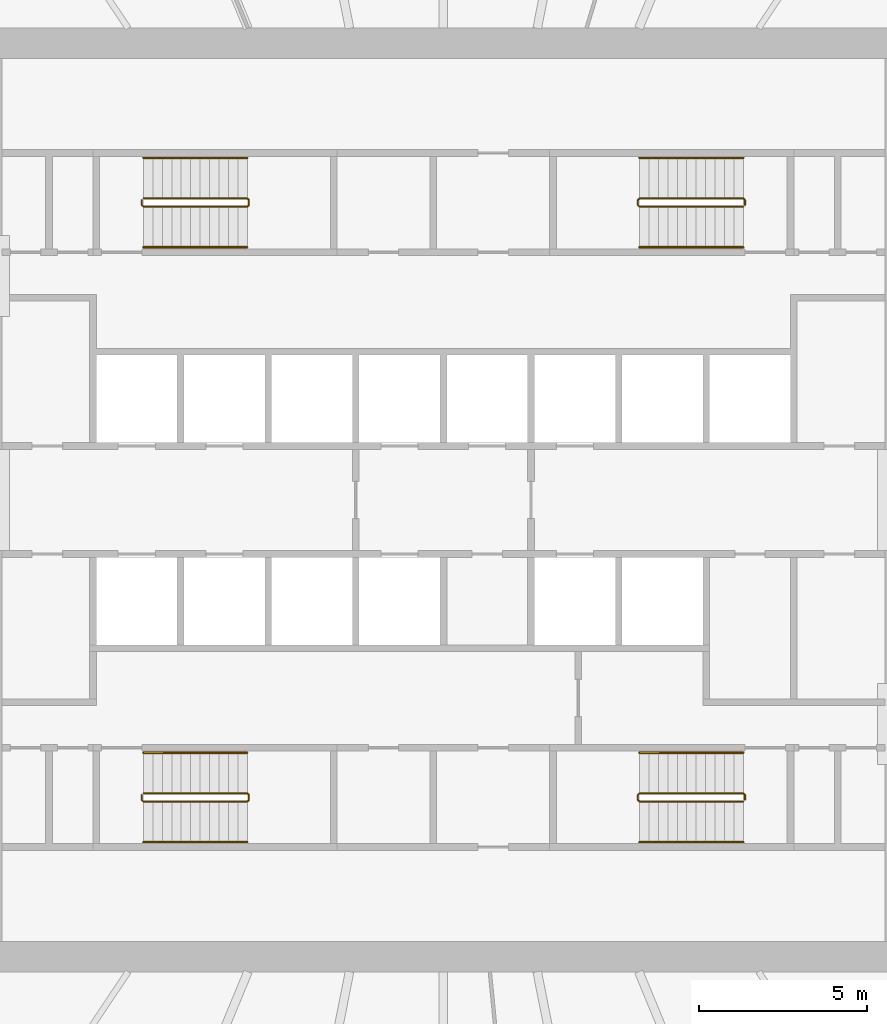
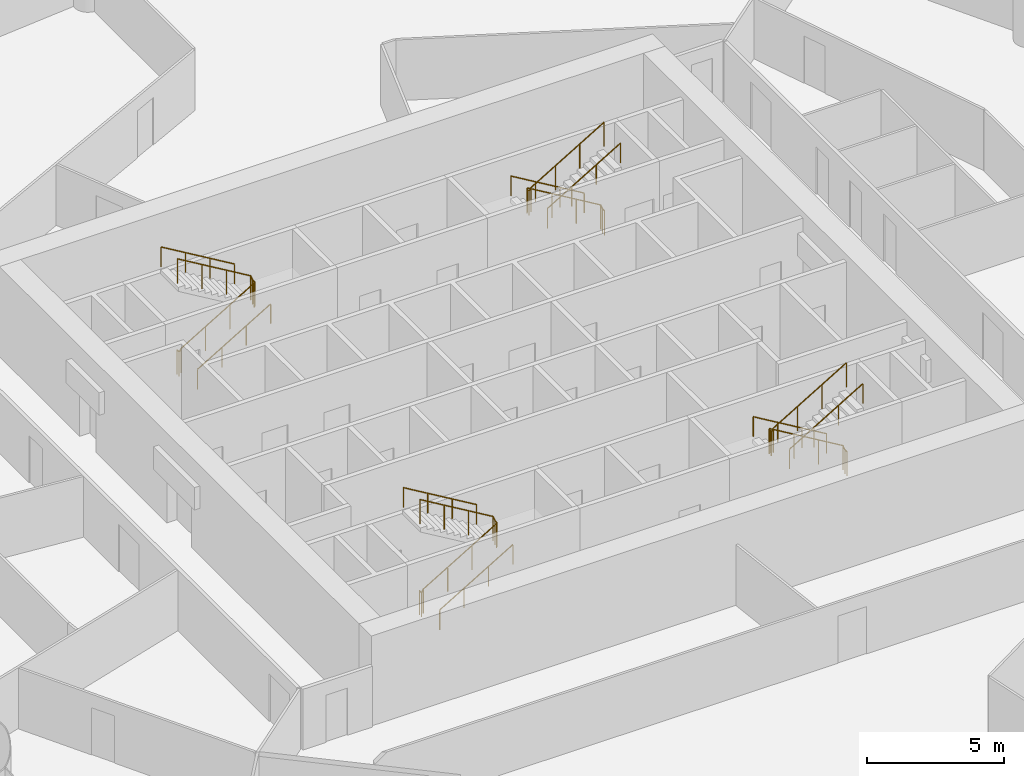
# One storey, part 8 of 8: 12 railings.
"""IFC4 building model written with IfcOpenShell, lengths in metres."""

from ifc_helpers import new_model, si_unit, direction, frame, origin, origin_2d, place, context, subcontext, project, spatial, circle, extrude, material, type_object, element, save


model = new_model("IFC4")

# Units and contexts
model_context = context("Model", 3, precision=1e-05, world=origin(), true_north=direction((0.0, 1.0)))
body_context = subcontext(model_context, "Body", "Model", "MODEL_VIEW")
ifc_project = project(units=[si_unit("LENGTHUNIT", "METRE"), si_unit("AREAUNIT", "SQUARE_METRE"), si_unit("VOLUMEUNIT", "CUBIC_METRE"), si_unit("PLANEANGLEUNIT", "RADIAN"), si_unit("MASSUNIT", "GRAM", prefix="KILO")], contexts=[model_context])

# Site, building, storey
site_placement = place(None, origin())
site = spatial("IfcSite", under=ifc_project, at=site_placement, CompositionType="ELEMENT")
building_placement = place(site_placement, origin())
building = spatial("IfcBuilding", under=site, at=building_placement, Name="Corvane Civic Tower", CompositionType="ELEMENT")
storey_placement = place(building_placement, frame((0.0, 0.0, 156.0)))
storey = spatial("IfcBuildingStorey", under=building, at=storey_placement, Name="L36", CompositionType="ELEMENT", Elevation=156.0)

# Railings
ifc_material_1 = material(Name="Steel ASTM A572 Gr 50", Category="steel")
railing_type_1 = type_object("IfcRailingType", Name="ST-GUARD-1100", PredefinedType="GUARDRAIL", material=ifc_material_1)
railing_1_placement = place(storey_placement, frame((8.949951171875, 8.75, 0.0)))
element("IfcRailing", 1, at=railing_1_placement, inside=storey, type_object=railing_type_1, Name="L36 ST1 stair guard 1", PredefinedType="GUARDRAIL", context=body_context, shape_type="SweptSolid", body=[
    extrude(circle(Radius=0.02392578125, at=origin_2d()), frame((0.0, 0.0, 1.076171875), z_axis=(0.0, 1.0, 0.0), x_axis=(-1.0, 0.0, 0.0)), (0.0, 0.0, 1.0), 0.14990234375),
    extrude(circle(Radius=0.02392578125, at=origin_2d()), frame((0.0, 0.14990234375, 1.076171875), z_axis=(-0.27628659633, 0.27628659633, 0.920506074601), x_axis=(-0.707106781187, -0.707106781187, 0.0)), (0.0, 0.0, 1.0), 0.18115234375),
    extrude(circle(Radius=0.02392578125, at=origin_2d()), frame((-0.050048828125, 0.199951171875, 1.24267578125), z_axis=(-0.859290745958, 0.0, 0.51148745235), x_axis=(0.0, -1.0, 0.0)), (0.0, 0.0, 1.0), 3.584228515625),
    extrude(circle(Radius=0.02392578125, at=origin_2d()), frame((-3.1298828125, 0.199951171875, 3.076171875), z_axis=(-0.707106781187, -0.707106781187, 0.0), x_axis=(0.707106781187, -0.707106781187, 0.0)), (0.0, 0.0, 1.0), 0.07080078125),
    extrude(circle(Radius=0.02392578125, at=origin_2d()), frame((-3.179931640625, 0.14990234375, 3.076171875), z_axis=(0.0, -1.0, 0.0), x_axis=(1.0, 0.0, 0.0)), (0.0, 0.0, 1.0), 0.14990234375),
    extrude(circle(Radius=0.02392578125, at=origin_2d()), frame((-3.179931640625, 0.0, 3.076171875), z_axis=(0.27628659633, -0.27628659633, 0.920506074601), x_axis=(0.707106781187, 0.707106781187, 0.0)), (0.0, 0.0, 1.0), 0.18115234375),
    extrude(circle(Radius=0.02392578125, at=origin_2d()), frame((-3.1298828125, -0.050048828125, 3.24267578125), z_axis=(0.859290745958, 0.0, 0.51148745235), x_axis=(0.0, 1.0, 0.0)), (0.0, 0.0, 1.0), 3.584228515625),
    extrude(circle(Radius=0.02099609375, at=origin_2d()), origin(), (0.0, 0.0, 1.0), 1.052001953125),
    extrude(circle(Radius=0.02099609375, at=origin_2d()), frame((0.0, 0.14990234375, 0.0)), (0.0, 0.0, 1.0), 1.052001953125),
    extrude(circle(Radius=0.02099609375, at=origin_2d()), frame((-0.050048828125, 0.199951171875, 0.166748046875)), (0.0, 0.0, 1.0), 1.052001953125),
    extrude(circle(Radius=0.02099609375, at=origin_2d()), frame((-1.07666015625, 0.199951171875, 0.77783203125)), (0.0, 0.0, 1.0), 1.052001953125),
    extrude(circle(Radius=0.02099609375, at=origin_2d()), frame((-2.103271484375, 0.199951171875, 1.388916015625)), (0.0, 0.0, 1.0), 1.052001953125),
    extrude(circle(Radius=0.02099609375, at=origin_2d()), frame((-3.1298828125, 0.199951171875, 2.0)), (0.0, 0.0, 1.0), 1.052001953125),
    extrude(circle(Radius=0.02099609375, at=origin_2d()), frame((-3.179931640625, 0.14990234375, 2.0)), (0.0, 0.0, 1.0), 1.052001953125),
    extrude(circle(Radius=0.02099609375, at=origin_2d()), frame((-3.179931640625, 0.0, 2.0)), (0.0, 0.0, 1.0), 1.052001953125),
    extrude(circle(Radius=0.02099609375, at=origin_2d()), frame((-3.1298828125, -0.050048828125, 2.166748046875)), (0.0, 0.0, 1.0), 1.052001953125),
    extrude(circle(Radius=0.02099609375, at=origin_2d()), frame((-2.103271484375, -0.050048828125, 2.77783203125)), (0.0, 0.0, 1.0), 1.052001953125),
    extrude(circle(Radius=0.02099609375, at=origin_2d()), frame((-1.07666015625, -0.050048828125, 3.388916015625)), (0.0, 0.0, 1.0), 1.052001953125),
    extrude(circle(Radius=0.02099609375, at=origin_2d()), frame((-0.050048828125, -0.050048828125, 4.0)), (0.0, 0.0, 1.0), 1.052001953125),
])
railing_2_placement = place(storey_placement, frame((8.949951171875, -8.89990234375, 0.0)))
element("IfcRailing", 2, at=railing_2_placement, inside=storey, type_object=railing_type_1, Name="L36 ST2 stair guard 1", PredefinedType="GUARDRAIL", context=body_context, shape_type="SweptSolid", body=[
    extrude(circle(Radius=0.02392578125, at=origin_2d()), frame((0.0, 0.0, 1.076171875), z_axis=(0.0, 1.0, 0.0), x_axis=(-1.0, 0.0, 0.0)), (0.0, 0.0, 1.0), 0.14990234375),
    extrude(circle(Radius=0.02392578125, at=origin_2d()), frame((0.0, 0.14990234375, 1.076171875), z_axis=(-0.27628659633, 0.27628659633, 0.920506074601), x_axis=(-0.707106781187, -0.707106781187, 0.0)), (0.0, 0.0, 1.0), 0.18115234375),
    extrude(circle(Radius=0.02392578125, at=origin_2d()), frame((-0.050048828125, 0.199951171875, 1.24267578125), z_axis=(-0.859290745958, 0.0, 0.51148745235), x_axis=(0.0, -1.0, 0.0)), (0.0, 0.0, 1.0), 3.584228515625),
    extrude(circle(Radius=0.02392578125, at=origin_2d()), frame((-3.1298828125, 0.199951171875, 3.076171875), z_axis=(-0.707106781187, -0.707106781187, 0.0), x_axis=(0.707106781187, -0.707106781187, 0.0)), (0.0, 0.0, 1.0), 0.07080078125),
    extrude(circle(Radius=0.02392578125, at=origin_2d()), frame((-3.179931640625, 0.14990234375, 3.076171875), z_axis=(0.0, -1.0, 0.0), x_axis=(1.0, 0.0, 0.0)), (0.0, 0.0, 1.0), 0.14990234375),
    extrude(circle(Radius=0.02392578125, at=origin_2d()), frame((-3.179931640625, 0.0, 3.076171875), z_axis=(0.27628659633, -0.27628659633, 0.920506074601), x_axis=(0.707106781187, 0.707106781187, 0.0)), (0.0, 0.0, 1.0), 0.18115234375),
    extrude(circle(Radius=0.02392578125, at=origin_2d()), frame((-3.1298828125, -0.050048828125, 3.24267578125), z_axis=(0.859290745958, 0.0, 0.51148745235), x_axis=(0.0, 1.0, 0.0)), (0.0, 0.0, 1.0), 3.584228515625),
    extrude(circle(Radius=0.02099609375, at=origin_2d()), origin(), (0.0, 0.0, 1.0), 1.052001953125),
    extrude(circle(Radius=0.02099609375, at=origin_2d()), frame((0.0, 0.14990234375, 0.0)), (0.0, 0.0, 1.0), 1.052001953125),
    extrude(circle(Radius=0.02099609375, at=origin_2d()), frame((-0.050048828125, 0.199951171875, 0.166748046875)), (0.0, 0.0, 1.0), 1.052001953125),
    extrude(circle(Radius=0.02099609375, at=origin_2d()), frame((-1.07666015625, 0.199951171875, 0.77783203125)), (0.0, 0.0, 1.0), 1.052001953125),
    extrude(circle(Radius=0.02099609375, at=origin_2d()), frame((-2.103271484375, 0.199951171875, 1.388916015625)), (0.0, 0.0, 1.0), 1.052001953125),
    extrude(circle(Radius=0.02099609375, at=origin_2d()), frame((-3.1298828125, 0.199951171875, 2.0)), (0.0, 0.0, 1.0), 1.052001953125),
    extrude(circle(Radius=0.02099609375, at=origin_2d()), frame((-3.179931640625, 0.14990234375, 2.0)), (0.0, 0.0, 1.0), 1.052001953125),
    extrude(circle(Radius=0.02099609375, at=origin_2d()), frame((-3.179931640625, 0.0, 2.0)), (0.0, 0.0, 1.0), 1.052001953125),
    extrude(circle(Radius=0.02099609375, at=origin_2d()), frame((-3.1298828125, -0.050048828125, 2.166748046875)), (0.0, 0.0, 1.0), 1.052001953125),
    extrude(circle(Radius=0.02099609375, at=origin_2d()), frame((-2.103271484375, -0.050048828125, 2.77783203125)), (0.0, 0.0, 1.0), 1.052001953125),
    extrude(circle(Radius=0.02099609375, at=origin_2d()), frame((-1.07666015625, -0.050048828125, 3.388916015625)), (0.0, 0.0, 1.0), 1.052001953125),
    extrude(circle(Radius=0.02099609375, at=origin_2d()), frame((-0.050048828125, -0.050048828125, 4.0)), (0.0, 0.0, 1.0), 1.052001953125),
])
railing_3_placement = place(storey_placement, frame((-8.949951171875, -8.75, 0.0)))
element("IfcRailing", 3, at=railing_3_placement, inside=storey, type_object=railing_type_1, Name="L36 ST3 stair guard 1", PredefinedType="GUARDRAIL", context=body_context, shape_type="SweptSolid", body=[
    extrude(circle(Radius=0.02392578125, at=origin_2d()), frame((0.0, 0.0, 1.076171875), z_axis=(0.0, -1.0, 0.0), x_axis=(1.0, 0.0, 0.0)), (0.0, 0.0, 1.0), 0.14990234375),
    extrude(circle(Radius=0.02392578125, at=origin_2d()), frame((0.0, -0.14990234375, 1.076171875), z_axis=(0.27628659633, -0.27628659633, 0.920506074601), x_axis=(0.707106781187, 0.707106781187, 0.0)), (0.0, 0.0, 1.0), 0.18115234375),
    extrude(circle(Radius=0.02392578125, at=origin_2d()), frame((0.050048828125, -0.199951171875, 1.24267578125), z_axis=(0.859290745958, 0.0, 0.51148745235), x_axis=(0.0, 1.0, 0.0)), (0.0, 0.0, 1.0), 3.584228515625),
    extrude(circle(Radius=0.02392578125, at=origin_2d()), frame((3.1298828125, -0.199951171875, 3.076171875), z_axis=(0.707106781187, 0.707106781187, 0.0), x_axis=(-0.707106781187, 0.707106781187, 0.0)), (0.0, 0.0, 1.0), 0.07080078125),
    extrude(circle(Radius=0.02392578125, at=origin_2d()), frame((3.179931640625, -0.14990234375, 3.076171875), z_axis=(0.0, 1.0, 0.0), x_axis=(-1.0, 0.0, 0.0)), (0.0, 0.0, 1.0), 0.14990234375),
    extrude(circle(Radius=0.02392578125, at=origin_2d()), frame((3.179931640625, 0.0, 3.076171875), z_axis=(-0.27628659633, 0.27628659633, 0.920506074601), x_axis=(-0.707106781187, -0.707106781187, 0.0)), (0.0, 0.0, 1.0), 0.18115234375),
    extrude(circle(Radius=0.02392578125, at=origin_2d()), frame((3.1298828125, 0.050048828125, 3.24267578125), z_axis=(-0.859290745958, 0.0, 0.51148745235), x_axis=(0.0, -1.0, 0.0)), (0.0, 0.0, 1.0), 3.584228515625),
    extrude(circle(Radius=0.02099609375, at=origin_2d()), origin(), (0.0, 0.0, 1.0), 1.052001953125),
    extrude(circle(Radius=0.02099609375, at=origin_2d()), frame((0.0, -0.14990234375, 0.0)), (0.0, 0.0, 1.0), 1.052001953125),
    extrude(circle(Radius=0.02099609375, at=origin_2d()), frame((0.050048828125, -0.199951171875, 0.166748046875)), (0.0, 0.0, 1.0), 1.052001953125),
    extrude(circle(Radius=0.02099609375, at=origin_2d()), frame((1.07666015625, -0.199951171875, 0.77783203125)), (0.0, 0.0, 1.0), 1.052001953125),
    extrude(circle(Radius=0.02099609375, at=origin_2d()), frame((2.103271484375, -0.199951171875, 1.388916015625)), (0.0, 0.0, 1.0), 1.052001953125),
    extrude(circle(Radius=0.02099609375, at=origin_2d()), frame((3.1298828125, -0.199951171875, 2.0)), (0.0, 0.0, 1.0), 1.052001953125),
    extrude(circle(Radius=0.02099609375, at=origin_2d()), frame((3.179931640625, -0.14990234375, 2.0)), (0.0, 0.0, 1.0), 1.052001953125),
    extrude(circle(Radius=0.02099609375, at=origin_2d()), frame((3.179931640625, 0.0, 2.0)), (0.0, 0.0, 1.0), 1.052001953125),
    extrude(circle(Radius=0.02099609375, at=origin_2d()), frame((3.1298828125, 0.050048828125, 2.166748046875)), (0.0, 0.0, 1.0), 1.052001953125),
    extrude(circle(Radius=0.02099609375, at=origin_2d()), frame((2.103271484375, 0.050048828125, 2.77783203125)), (0.0, 0.0, 1.0), 1.052001953125),
    extrude(circle(Radius=0.02099609375, at=origin_2d()), frame((1.07666015625, 0.050048828125, 3.388916015625)), (0.0, 0.0, 1.0), 1.052001953125),
    extrude(circle(Radius=0.02099609375, at=origin_2d()), frame((0.050048828125, 0.050048828125, 4.0)), (0.0, 0.0, 1.0), 1.052001953125),
])
railing_4_placement = place(storey_placement, frame((-8.949951171875, 8.89990234375, 0.0)))
element("IfcRailing", 4, at=railing_4_placement, inside=storey, type_object=railing_type_1, Name="L36 ST4 stair guard 1", PredefinedType="GUARDRAIL", context=body_context, shape_type="SweptSolid", body=[
    extrude(circle(Radius=0.02392578125, at=origin_2d()), frame((0.0, 0.0, 1.076171875), z_axis=(0.0, -1.0, 0.0), x_axis=(1.0, 0.0, 0.0)), (0.0, 0.0, 1.0), 0.14990234375),
    extrude(circle(Radius=0.02392578125, at=origin_2d()), frame((0.0, -0.14990234375, 1.076171875), z_axis=(0.27628659633, -0.27628659633, 0.920506074601), x_axis=(0.707106781187, 0.707106781187, 0.0)), (0.0, 0.0, 1.0), 0.18115234375),
    extrude(circle(Radius=0.02392578125, at=origin_2d()), frame((0.050048828125, -0.199951171875, 1.24267578125), z_axis=(0.859290745958, 0.0, 0.51148745235), x_axis=(0.0, 1.0, 0.0)), (0.0, 0.0, 1.0), 3.584228515625),
    extrude(circle(Radius=0.02392578125, at=origin_2d()), frame((3.1298828125, -0.199951171875, 3.076171875), z_axis=(0.707106781187, 0.707106781187, 0.0), x_axis=(-0.707106781187, 0.707106781187, 0.0)), (0.0, 0.0, 1.0), 0.07080078125),
    extrude(circle(Radius=0.02392578125, at=origin_2d()), frame((3.179931640625, -0.14990234375, 3.076171875), z_axis=(0.0, 1.0, 0.0), x_axis=(-1.0, 0.0, 0.0)), (0.0, 0.0, 1.0), 0.14990234375),
    extrude(circle(Radius=0.02392578125, at=origin_2d()), frame((3.179931640625, 0.0, 3.076171875), z_axis=(-0.27628659633, 0.27628659633, 0.920506074601), x_axis=(-0.707106781187, -0.707106781187, 0.0)), (0.0, 0.0, 1.0), 0.18115234375),
    extrude(circle(Radius=0.02392578125, at=origin_2d()), frame((3.1298828125, 0.050048828125, 3.24267578125), z_axis=(-0.859290745958, 0.0, 0.51148745235), x_axis=(0.0, -1.0, 0.0)), (0.0, 0.0, 1.0), 3.584228515625),
    extrude(circle(Radius=0.02099609375, at=origin_2d()), origin(), (0.0, 0.0, 1.0), 1.052001953125),
    extrude(circle(Radius=0.02099609375, at=origin_2d()), frame((0.0, -0.14990234375, 0.0)), (0.0, 0.0, 1.0), 1.052001953125),
    extrude(circle(Radius=0.02099609375, at=origin_2d()), frame((0.050048828125, -0.199951171875, 0.166748046875)), (0.0, 0.0, 1.0), 1.052001953125),
    extrude(circle(Radius=0.02099609375, at=origin_2d()), frame((1.07666015625, -0.199951171875, 0.77783203125)), (0.0, 0.0, 1.0), 1.052001953125),
    extrude(circle(Radius=0.02099609375, at=origin_2d()), frame((2.103271484375, -0.199951171875, 1.388916015625)), (0.0, 0.0, 1.0), 1.052001953125),
    extrude(circle(Radius=0.02099609375, at=origin_2d()), frame((3.1298828125, -0.199951171875, 2.0)), (0.0, 0.0, 1.0), 1.052001953125),
    extrude(circle(Radius=0.02099609375, at=origin_2d()), frame((3.179931640625, -0.14990234375, 2.0)), (0.0, 0.0, 1.0), 1.052001953125),
    extrude(circle(Radius=0.02099609375, at=origin_2d()), frame((3.179931640625, 0.0, 2.0)), (0.0, 0.0, 1.0), 1.052001953125),
    extrude(circle(Radius=0.02099609375, at=origin_2d()), frame((3.1298828125, 0.050048828125, 2.166748046875)), (0.0, 0.0, 1.0), 1.052001953125),
    extrude(circle(Radius=0.02099609375, at=origin_2d()), frame((2.103271484375, 0.050048828125, 2.77783203125)), (0.0, 0.0, 1.0), 1.052001953125),
    extrude(circle(Radius=0.02099609375, at=origin_2d()), frame((1.07666015625, 0.050048828125, 3.388916015625)), (0.0, 0.0, 1.0), 1.052001953125),
    extrude(circle(Radius=0.02099609375, at=origin_2d()), frame((0.050048828125, 0.050048828125, 4.0)), (0.0, 0.0, 1.0), 1.052001953125),
])
ifc_material_2 = material(Name="Steel ASTM A572 Gr 50", Category="steel")
railing_type_2 = type_object("IfcRailingType", Name="ST-HANDRAIL-900", PredefinedType="HANDRAIL", material=ifc_material_2)
railing_5_placement = place(storey_placement, frame((8.89990234375, 10.14990234375, 0.166748046875)))
element("IfcRailing", 5, at=railing_5_placement, inside=storey, type_object=railing_type_2, Name="L36 ST1 stair handrail 1", PredefinedType="HANDRAIL", context=body_context, shape_type="SweptSolid", body=[
    extrude(circle(Radius=0.02392578125, at=origin_2d()), frame((0.0, 0.0, 0.8759765625), z_axis=(-0.859290745958, 0.0, 0.51148745235), x_axis=(0.0, -1.0, 0.0)), (0.0, 0.0, 1.0), 3.584228515625),
    extrude(circle(Radius=0.02099609375, at=origin_2d()), origin(), (0.0, 0.0, 1.0), 0.851806640625),
    extrude(circle(Radius=0.02099609375, at=origin_2d()), frame((-1.026611328125, 0.0, 0.611083984375)), (0.0, 0.0, 1.0), 0.851806640625),
    extrude(circle(Radius=0.02099609375, at=origin_2d()), frame((-2.05322265625, 0.0, 1.22216796875)), (0.0, 0.0, 1.0), 0.851806640625),
    extrude(circle(Radius=0.02099609375, at=origin_2d()), frame((-3.079833984375, 0.0, 1.833251953125)), (0.0, 0.0, 1.0), 0.851806640625),
])
railing_6_placement = place(storey_placement, frame((5.820068359375, 7.5, 2.166748046875)))
element("IfcRailing", 6, at=railing_6_placement, inside=storey, type_object=railing_type_2, Name="L36 ST1 stair handrail 2", PredefinedType="HANDRAIL", context=body_context, shape_type="SweptSolid", body=[
    extrude(circle(Radius=0.02392578125, at=origin_2d()), frame((0.0, 0.0, 0.8759765625), z_axis=(0.859290745958, 0.0, 0.51148745235), x_axis=(0.0, 1.0, 0.0)), (0.0, 0.0, 1.0), 3.584228515625),
    extrude(circle(Radius=0.02099609375, at=origin_2d()), origin(), (0.0, 0.0, 1.0), 0.851806640625),
    extrude(circle(Radius=0.02099609375, at=origin_2d()), frame((1.026611328125, 0.0, 0.611083984375)), (0.0, 0.0, 1.0), 0.851806640625),
    extrude(circle(Radius=0.02099609375, at=origin_2d()), frame((2.05322265625, 0.0, 1.22216796875)), (0.0, 0.0, 1.0), 0.851806640625),
    extrude(circle(Radius=0.02099609375, at=origin_2d()), frame((3.079833984375, 0.0, 1.833251953125)), (0.0, 0.0, 1.0), 0.851806640625),
])
railing_7_placement = place(storey_placement, frame((8.89990234375, -7.5, 0.166748046875)))
element("IfcRailing", 7, at=railing_7_placement, inside=storey, type_object=railing_type_2, Name="L36 ST2 stair handrail 1", PredefinedType="HANDRAIL", context=body_context, shape_type="SweptSolid", body=[
    extrude(circle(Radius=0.02392578125, at=origin_2d()), frame((0.0, 0.0, 0.8759765625), z_axis=(-0.859290745958, 0.0, 0.51148745235), x_axis=(0.0, -1.0, 0.0)), (0.0, 0.0, 1.0), 3.584228515625),
    extrude(circle(Radius=0.02099609375, at=origin_2d()), origin(), (0.0, 0.0, 1.0), 0.851806640625),
    extrude(circle(Radius=0.02099609375, at=origin_2d()), frame((-1.026611328125, 0.0, 0.611083984375)), (0.0, 0.0, 1.0), 0.851806640625),
    extrude(circle(Radius=0.02099609375, at=origin_2d()), frame((-2.05322265625, 0.0, 1.22216796875)), (0.0, 0.0, 1.0), 0.851806640625),
    extrude(circle(Radius=0.02099609375, at=origin_2d()), frame((-3.079833984375, 0.0, 1.833251953125)), (0.0, 0.0, 1.0), 0.851806640625),
])
for number, where, name in (
    (8, (5.820068359375, -10.14990234375, 2.166748046875), "L36 ST2 stair handrail 2"),
    (9, (-8.89990234375, -10.14990234375, 0.166748046875), "L36 ST3 stair handrail 1"),
):
    element("IfcRailing", number, at=place(storey_placement, frame(where)), inside=storey, type_object=railing_type_2, Name=name, PredefinedType="HANDRAIL", context=body_context, shape_type="SweptSolid", body=[
        extrude(circle(Radius=0.02392578125, at=origin_2d()), frame((0.0, 0.0, 0.8759765625), z_axis=(0.859290745958, 0.0, 0.51148745235), x_axis=(0.0, 1.0, 0.0)), (0.0, 0.0, 1.0), 3.584228515625),
        extrude(circle(Radius=0.02099609375, at=origin_2d()), origin(), (0.0, 0.0, 1.0), 0.851806640625),
        extrude(circle(Radius=0.02099609375, at=origin_2d()), frame((1.026611328125, 0.0, 0.611083984375)), (0.0, 0.0, 1.0), 0.851806640625),
        extrude(circle(Radius=0.02099609375, at=origin_2d()), frame((2.05322265625, 0.0, 1.22216796875)), (0.0, 0.0, 1.0), 0.851806640625),
        extrude(circle(Radius=0.02099609375, at=origin_2d()), frame((3.079833984375, 0.0, 1.833251953125)), (0.0, 0.0, 1.0), 0.851806640625),
    ])
railing_8_placement = place(storey_placement, frame((-5.820068359375, -7.5, 2.166748046875)))
element("IfcRailing", 10, at=railing_8_placement, inside=storey, type_object=railing_type_2, Name="L36 ST3 stair handrail 2", PredefinedType="HANDRAIL", context=body_context, shape_type="SweptSolid", body=[
    extrude(circle(Radius=0.02392578125, at=origin_2d()), frame((0.0, 0.0, 0.8759765625), z_axis=(-0.859290745958, 0.0, 0.51148745235), x_axis=(0.0, -1.0, 0.0)), (0.0, 0.0, 1.0), 3.584228515625),
    extrude(circle(Radius=0.02099609375, at=origin_2d()), origin(), (0.0, 0.0, 1.0), 0.851806640625),
    extrude(circle(Radius=0.02099609375, at=origin_2d()), frame((-1.026611328125, 0.0, 0.611083984375)), (0.0, 0.0, 1.0), 0.851806640625),
    extrude(circle(Radius=0.02099609375, at=origin_2d()), frame((-2.05322265625, 0.0, 1.22216796875)), (0.0, 0.0, 1.0), 0.851806640625),
    extrude(circle(Radius=0.02099609375, at=origin_2d()), frame((-3.079833984375, 0.0, 1.833251953125)), (0.0, 0.0, 1.0), 0.851806640625),
])
railing_9_placement = place(storey_placement, frame((-8.89990234375, 7.5, 0.166748046875)))
element("IfcRailing", 11, at=railing_9_placement, inside=storey, type_object=railing_type_2, Name="L36 ST4 stair handrail 1", PredefinedType="HANDRAIL", context=body_context, shape_type="SweptSolid", body=[
    extrude(circle(Radius=0.02392578125, at=origin_2d()), frame((0.0, 0.0, 0.8759765625), z_axis=(0.859290745958, 0.0, 0.51148745235), x_axis=(0.0, 1.0, 0.0)), (0.0, 0.0, 1.0), 3.584228515625),
    extrude(circle(Radius=0.02099609375, at=origin_2d()), origin(), (0.0, 0.0, 1.0), 0.851806640625),
    extrude(circle(Radius=0.02099609375, at=origin_2d()), frame((1.026611328125, 0.0, 0.611083984375)), (0.0, 0.0, 1.0), 0.851806640625),
    extrude(circle(Radius=0.02099609375, at=origin_2d()), frame((2.05322265625, 0.0, 1.22216796875)), (0.0, 0.0, 1.0), 0.851806640625),
    extrude(circle(Radius=0.02099609375, at=origin_2d()), frame((3.079833984375, 0.0, 1.833251953125)), (0.0, 0.0, 1.0), 0.851806640625),
])
railing_10_placement = place(storey_placement, frame((-5.820068359375, 10.14990234375, 2.166748046875)))
element("IfcRailing", 12, at=railing_10_placement, inside=storey, type_object=railing_type_2, Name="L36 ST4 stair handrail 2", PredefinedType="HANDRAIL", context=body_context, shape_type="SweptSolid", body=[
    extrude(circle(Radius=0.02392578125, at=origin_2d()), frame((0.0, 0.0, 0.8759765625), z_axis=(-0.859290745958, 0.0, 0.51148745235), x_axis=(0.0, -1.0, 0.0)), (0.0, 0.0, 1.0), 3.584228515625),
    extrude(circle(Radius=0.02099609375, at=origin_2d()), origin(), (0.0, 0.0, 1.0), 0.851806640625),
    extrude(circle(Radius=0.02099609375, at=origin_2d()), frame((-1.026611328125, 0.0, 0.611083984375)), (0.0, 0.0, 1.0), 0.851806640625),
    extrude(circle(Radius=0.02099609375, at=origin_2d()), frame((-2.05322265625, 0.0, 1.22216796875)), (0.0, 0.0, 1.0), 0.851806640625),
    extrude(circle(Radius=0.02099609375, at=origin_2d()), frame((-3.079833984375, 0.0, 1.833251953125)), (0.0, 0.0, 1.0), 0.851806640625),
])

save(model, "model.ifc")
